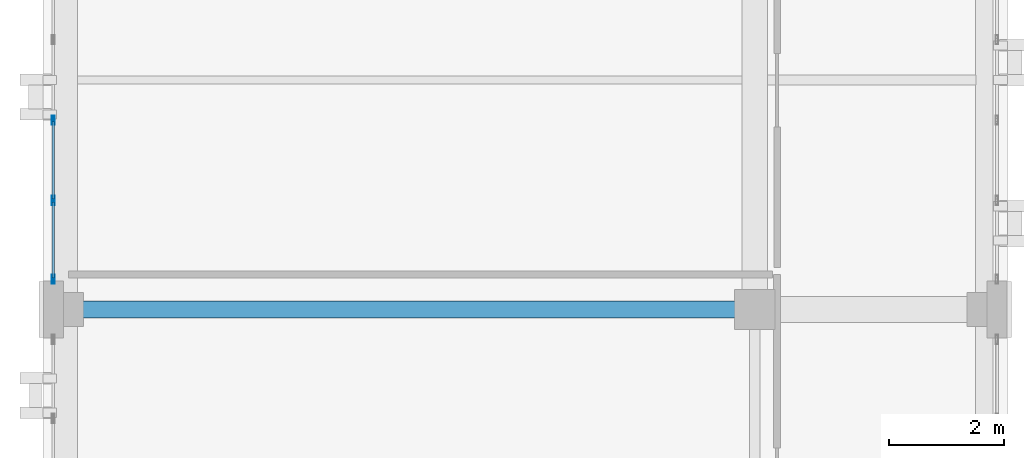
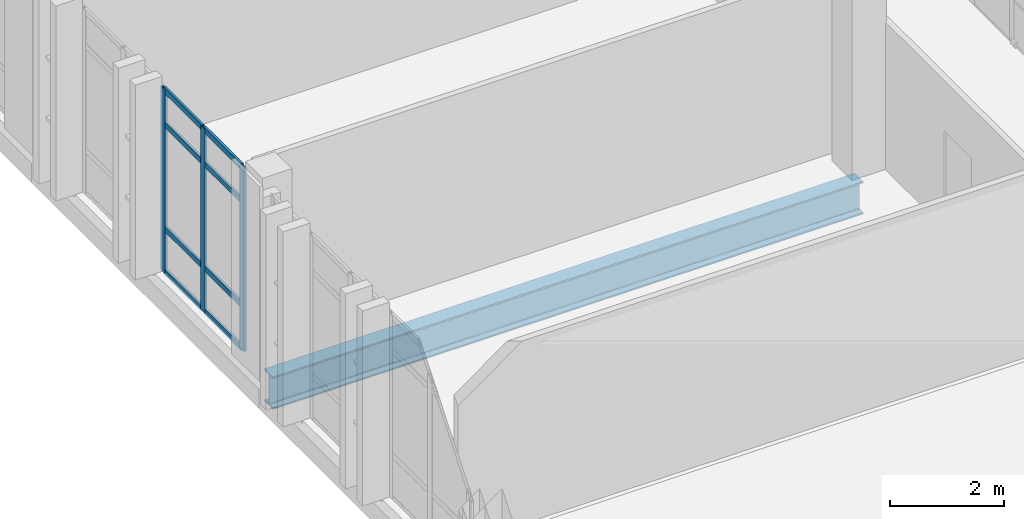
# One storey, part 12 of 48: 11 members, 1 beam, 1 element without a shape of its own.
"""IFC4 building model written with IfcOpenShell, lengths in metres."""

from ifc_helpers import new_model, si_unit, direction, frame, origin, origin_2d, place, context, subcontext, project, spatial, hollow_rectangle, i_section, extrude, material, layer, layer_set, material_profile, profile_set, type_object, element, aggregate, save


model = new_model("IFC4")

# Units and contexts
model_context = context("Model", 3, precision=1e-05, world=origin(), true_north=direction((0.0, 1.0)))
body_context = subcontext(model_context, "Body", "Model", "MODEL_VIEW")
ifc_project = project(units=[si_unit("LENGTHUNIT", "METRE"), si_unit("AREAUNIT", "SQUARE_METRE"), si_unit("VOLUMEUNIT", "CUBIC_METRE"), si_unit("PLANEANGLEUNIT", "RADIAN"), si_unit("MASSUNIT", "GRAM", prefix="KILO")], contexts=[model_context])

# Site, building, storey
site_placement = place(None, origin())
site = spatial("IfcSite", under=ifc_project, at=site_placement, CompositionType="ELEMENT")
building_placement = place(site_placement, origin())
building = spatial("IfcBuilding", under=site, at=building_placement, Name="Qalavern Law Courts", CompositionType="ELEMENT")
storey_placement = place(building_placement, frame((0.0, 0.0, 31.199951171875)))
storey = spatial("IfcBuildingStorey", under=building, at=storey_placement, Name="L07", CompositionType="ELEMENT", Elevation=31.199951171875)

# Curtain wall, members
ifc_material_1 = material(Name="Anodised aluminium and insulated glazing", Category="aluminium")
ifc_layer = layer(ifc_material_1, 0.159912109375)
ifc_layer_set = layer_set([ifc_layer], Name="Anodised aluminium and insulated glazing")
curtain_wall_type = type_object("IfcCurtainWallType", Name="ENV-CW-CHAMB", PredefinedType="USERDEFINED", material=ifc_layer_set)
curtain_wall_placement = place(storey_placement, origin())
curtain_wall = element("IfcCurtainWall", 1, at=curtain_wall_placement, inside=storey, type_object=curtain_wall_type, Name="V3 unitised curtain wall L07 west 2", ObjectType="UNITISED CURTAIN WALL", PredefinedType="USERDEFINED")
ifc_material_2 = material(Name="Anodised aluminium", Category="aluminium")
ifc_material_profile_1 = material_profile(ifc_material_2, hollow_rectangle(XDim=0.048095703125, YDim=0.159912109375, WallThickness=0.00390625, at=origin_2d()), Name="ALU MULLION 48x160")
ifc_profile_set_1 = profile_set([ifc_material_profile_1], Name="Anodised aluminium")
member_type_1 = type_object("IfcMemberType", Name="ENV-CWM-48x160", PredefinedType="MULLION", material=ifc_profile_set_1)
member_1_placement = place(storey_placement, frame((2.177490234375, 68.699951171875, 0.0), z_axis=(0.0, 0.0, 1.0), x_axis=(1.0, 0.0, 0.0)))
member_1 = element("IfcMember", 2, at=member_1_placement, type_object=member_type_1, Name="CW-04 mullion 4", PredefinedType="MULLION", context=body_context, shape_type="SweptSolid", body=[
    extrude(hollow_rectangle(XDim=0.048095703125, YDim=0.159912109375, WallThickness=0.00390625, at=origin_2d()), origin(), (0.0, 0.0, 1.0), 3.93994140625),
])
member_2_placement = place(storey_placement, frame((2.177490234375, 67.300048828125, 0.0), z_axis=(0.0, 0.0, 1.0), x_axis=(1.0, 0.0, 0.0)))
member_2 = element("IfcMember", 3, at=member_2_placement, type_object=member_type_1, Name="CW-04 mullion 5", PredefinedType="MULLION", context=body_context, shape_type="SweptSolid", body=[
    extrude(hollow_rectangle(XDim=0.048095703125, YDim=0.159912109375, WallThickness=0.00390625, at=origin_2d()), origin(), (0.0, 0.0, 1.0), 3.93994140625),
])
member_3_placement = place(storey_placement, frame((2.177490234375, 65.924072265625, 0.0), z_axis=(0.0, 0.0, 1.0), x_axis=(1.0, 0.0, 0.0)))
member_3 = element("IfcMember", 4, at=member_3_placement, type_object=member_type_1, Name="CW-04 mullion 6", PredefinedType="MULLION", context=body_context, shape_type="SweptSolid", body=[
    extrude(hollow_rectangle(XDim=0.048095703125, YDim=0.159912109375, WallThickness=0.00390625, at=origin_2d()), origin(), (0.0, 0.0, 1.0), 3.93994140625),
])
ifc_material_profile_2 = material_profile(ifc_material_2, hollow_rectangle(XDim=0.048095703125, YDim=0.1201171875, WallThickness=0.00390625, at=origin_2d()), Name="ALU TRANSOM 48x120")
ifc_profile_set_2 = profile_set([ifc_material_profile_2], Name="Anodised aluminium")
member_type_2 = type_object("IfcMemberType", Name="ENV-CWT-48x120", PredefinedType="USERDEFINED", material=ifc_profile_set_2)
member_4_placement = place(storey_placement, frame((2.177490234375, 68.676025390625, 0.024169921875), z_axis=(0.0, -1.0, 0.0), x_axis=(1.0, 0.0, 0.0)))
member_4 = element("IfcMember", 5, at=member_4_placement, type_object=member_type_2, Name="CW-04 transom 4.1", ObjectType="TRANSOM", PredefinedType="USERDEFINED", context=body_context, shape_type="SweptSolid", body=[
    extrude(hollow_rectangle(XDim=0.048095703125, YDim=0.1201171875, WallThickness=0.00390625, at=origin_2d()), origin(), (0.0, 0.0, 1.0), 1.35205078125),
])
member_5_placement = place(storey_placement, frame((2.177490234375, 68.676025390625, 0.949951171875), z_axis=(0.0, -1.0, 0.0), x_axis=(1.0, 0.0, 0.0)))
member_5 = element("IfcMember", 6, at=member_5_placement, type_object=member_type_2, Name="CW-04 transom 4.2", ObjectType="TRANSOM", PredefinedType="USERDEFINED", context=body_context, shape_type="SweptSolid", body=[
    extrude(hollow_rectangle(XDim=0.048095703125, YDim=0.1201171875, WallThickness=0.00390625, at=origin_2d()), origin(), (0.0, 0.0, 1.0), 1.35205078125),
])
member_6_placement = place(storey_placement, frame((2.177490234375, 68.676025390625, 3.18994140625), z_axis=(0.0, -1.0, 0.0), x_axis=(1.0, 0.0, 0.0)))
member_6 = element("IfcMember", 7, at=member_6_placement, type_object=member_type_2, Name="CW-04 transom 4.3", ObjectType="TRANSOM", PredefinedType="USERDEFINED", context=body_context, shape_type="SweptSolid", body=[
    extrude(hollow_rectangle(XDim=0.048095703125, YDim=0.1201171875, WallThickness=0.00390625, at=origin_2d()), origin(), (0.0, 0.0, 1.0), 1.35205078125),
])
member_7_placement = place(storey_placement, frame((2.177490234375, 68.676025390625, 3.916015625), z_axis=(0.0, -1.0, 0.0), x_axis=(1.0, 0.0, 0.0)))
member_7 = element("IfcMember", 8, at=member_7_placement, type_object=member_type_2, Name="CW-04 transom 4.4", ObjectType="TRANSOM", PredefinedType="USERDEFINED", context=body_context, shape_type="SweptSolid", body=[
    extrude(hollow_rectangle(XDim=0.048095703125, YDim=0.1201171875, WallThickness=0.00390625, at=origin_2d()), origin(), (0.0, 0.0, 1.0), 1.35205078125),
])
member_8_placement = place(storey_placement, frame((2.177490234375, 67.27587890625, 0.024169921875), z_axis=(0.0, -1.0, 0.0), x_axis=(1.0, 0.0, 0.0)))
member_8 = element("IfcMember", 9, at=member_8_placement, type_object=member_type_2, Name="CW-04 transom 5.1", ObjectType="TRANSOM", PredefinedType="USERDEFINED", context=body_context, shape_type="SweptSolid", body=[
    extrude(hollow_rectangle(XDim=0.048095703125, YDim=0.1201171875, WallThickness=0.00390625, at=origin_2d()), origin(), (0.0, 0.0, 1.0), 1.327880859375),
])
member_9_placement = place(storey_placement, frame((2.177490234375, 67.27587890625, 0.949951171875), z_axis=(0.0, -1.0, 0.0), x_axis=(1.0, 0.0, 0.0)))
member_9 = element("IfcMember", 10, at=member_9_placement, type_object=member_type_2, Name="CW-04 transom 5.2", ObjectType="TRANSOM", PredefinedType="USERDEFINED", context=body_context, shape_type="SweptSolid", body=[
    extrude(hollow_rectangle(XDim=0.048095703125, YDim=0.1201171875, WallThickness=0.00390625, at=origin_2d()), origin(), (0.0, 0.0, 1.0), 1.327880859375),
])
member_10_placement = place(storey_placement, frame((2.177490234375, 67.27587890625, 3.18994140625), z_axis=(0.0, -1.0, 0.0), x_axis=(1.0, 0.0, 0.0)))
member_10 = element("IfcMember", 11, at=member_10_placement, type_object=member_type_2, Name="CW-04 transom 5.3", ObjectType="TRANSOM", PredefinedType="USERDEFINED", context=body_context, shape_type="SweptSolid", body=[
    extrude(hollow_rectangle(XDim=0.048095703125, YDim=0.1201171875, WallThickness=0.00390625, at=origin_2d()), origin(), (0.0, 0.0, 1.0), 1.327880859375),
])
member_11_placement = place(storey_placement, frame((2.177490234375, 67.27587890625, 3.916015625), z_axis=(0.0, -1.0, 0.0), x_axis=(1.0, 0.0, 0.0)))
member_11 = element("IfcMember", 12, at=member_11_placement, type_object=member_type_2, Name="CW-04 transom 5.4", ObjectType="TRANSOM", PredefinedType="USERDEFINED", context=body_context, shape_type="SweptSolid", body=[
    extrude(hollow_rectangle(XDim=0.048095703125, YDim=0.1201171875, WallThickness=0.00390625, at=origin_2d()), origin(), (0.0, 0.0, 1.0), 1.327880859375),
])
aggregate(curtain_wall, [member_1, member_2, member_3, member_4, member_5, member_6, member_7, member_8, member_9, member_10, member_11])

# Beam
ifc_material_3 = material(Name="Steel S355", Category="steel")
ifc_material_profile_3 = material_profile(ifc_material_3, i_section(OverallWidth=0.300048828125, OverallDepth=0.699951171875, WebThickness=0.01708984375, FlangeThickness=0.031982421875, FilletRadius=0.027099609375, at=origin_2d()), Name="HEB 700")
ifc_profile_set_3 = profile_set([ifc_material_profile_3], Name="Steel S355")
beam_type = type_object("IfcBeamType", Name="STR-BM-HEB700", PredefinedType="BEAM", material=ifc_profile_set_3)
beam_placement = place(storey_placement, frame((2.39990234375, 65.39990234375, -0.614990234375), z_axis=(1.0, 0.0, 0.0), x_axis=(0.0, 1.0, 0.0)))
element("IfcBeam", 13, at=beam_placement, inside=storey, type_object=beam_type, Name="V3 X-beam 4-1 L07", PredefinedType="BEAM", context=body_context, shape_type="SweptSolid", body=[
    extrude(i_section(OverallWidth=0.300048828125, OverallDepth=0.699951171875, WebThickness=0.01708984375, FlangeThickness=0.031982421875, FilletRadius=0.027099609375, at=origin_2d()), origin(), (0.0, 0.0, 1.0), 12.0),
])

save(model, "model.ifc")
